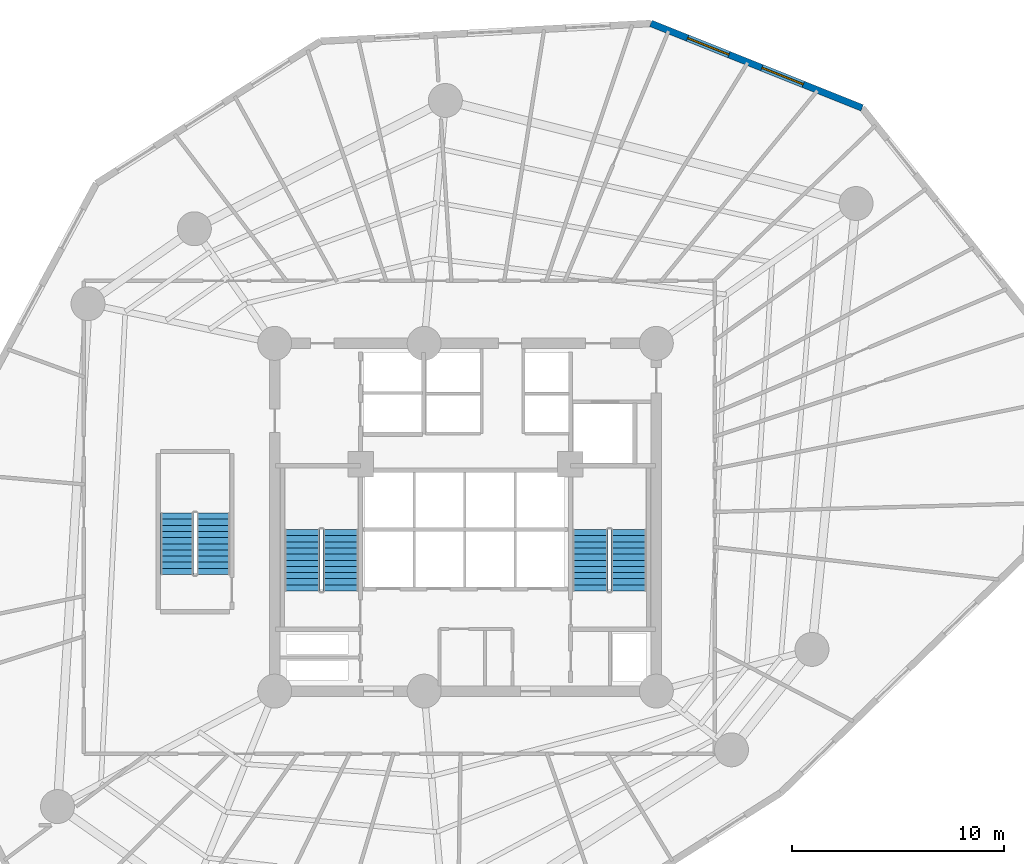
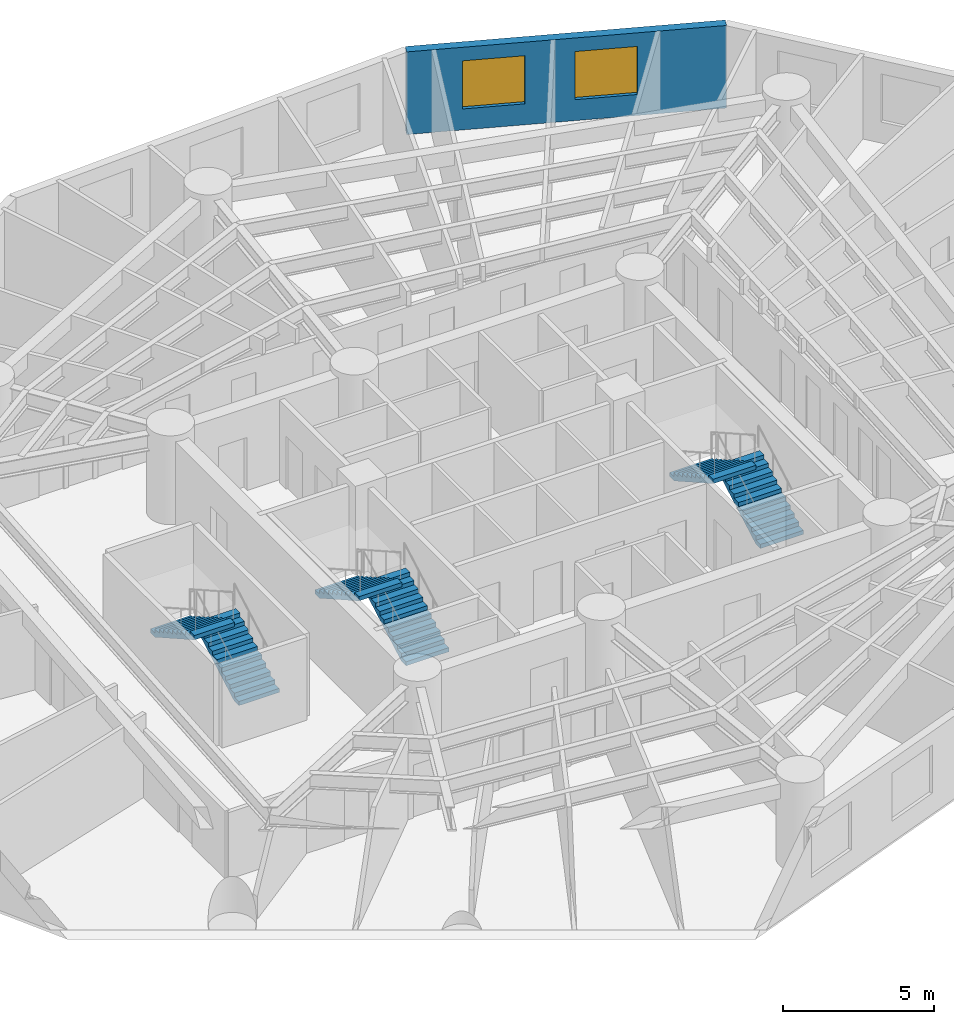
# One storey, part 7 of 8: 6 stair flights, 2 windows, 1 wall, 2 openings, 3 elements without a shape of their own.
"""IFC4 building model written with IfcOpenShell, lengths in metres."""

from ifc_helpers import new_model, si_unit, direction, frame, frame_2d, origin, origin_with_axes, place, context, subcontext, project, spatial, polyline, rectangle, outline, extrude, source, transform, mapped, material, layer, layer_set, type_object, element, fill, aggregate, save


model = new_model("IFC4")

# Units and contexts
model_context = context("Model", 3, precision=1e-05, world=origin(), true_north=direction((0.0, 1.0)))
body_context = subcontext(model_context, "Body", "Model", "MODEL_VIEW")
ifc_project = project(units=[si_unit("LENGTHUNIT", "METRE"), si_unit("AREAUNIT", "SQUARE_METRE"), si_unit("VOLUMEUNIT", "CUBIC_METRE"), si_unit("PLANEANGLEUNIT", "RADIAN"), si_unit("MASSUNIT", "GRAM", prefix="KILO")], contexts=[model_context])

# Site, building, storey
site_placement = place(None, origin())
site = spatial("IfcSite", under=ifc_project, at=site_placement, CompositionType="ELEMENT")
building_placement = place(site_placement, origin())
building = spatial("IfcBuilding", under=site, at=building_placement, Name="Karkom Vertical University and Central Library", CompositionType="ELEMENT")
storey_placement = place(building_placement, frame((0.0, 0.0, 37.300048828125)))
storey = spatial("IfcBuildingStorey", under=building, at=storey_placement, Name="L09", CompositionType="ELEMENT", Elevation=37.300048828125)

# Wall, openings, windows
ifc_material_1 = material(Name="Brick-faced precast concrete C45/55", Category="masonry")
ifc_layer = layer(ifc_material_1, 0.320068359375)
ifc_layer_set = layer_set([ifc_layer], Name="Brick-faced precast concrete C45/55")
wall_type = type_object("IfcWallType", Name="ENV-WL-BRK-320", PredefinedType="SOLIDWALL", material=ifc_layer_set)
wall_placement = place(storey_placement, frame((47.20751953125, 45.806396484375, 0.0), z_axis=(0.0, 0.0, 1.0), x_axis=(-0.928515908775, 0.371292616614, 0.0)))
wall = element("IfcWall", 1, at=wall_placement, inside=storey, type_object=wall_type, Name="Level 09 Brick-Faced Precast Facade Wall 11", PredefinedType="SOLIDWALL", context=body_context, shape_type="SweptSolid", body=[
    extrude(rectangle(XDim=10.731689453125, YDim=0.320068359375, at=frame_2d((5.36572265625, 0.0))), origin(), (0.0, 0.0, 1.0), 3.349853515625),
])
opening_1_placement = place(wall_placement, frame((2.9912109375, 0.0, 0.85009765625)))
opening_1 = element("IfcOpeningElement", 2, at=opening_1_placement, cuts=wall, Name="Opening WN-03", PredefinedType="OPENING", context=body_context, shape_type="SweptSolid", body=[
    extrude(rectangle(XDim=2.10009765625, YDim=1.949951171875, at=frame_2d((1.050048828125, 0.97509765625))), frame((0.0, 0.169921875, 0.0), z_axis=(0.0, -1.0, 0.0), x_axis=(1.0, 0.0, 0.0)), (0.0, 0.0, 1.0), 0.340087890625),
])
opening_2_placement = place(wall_placement, frame((6.766845703125, 0.0, 0.85009765625)))
opening_2 = element("IfcOpeningElement", 3, at=opening_2_placement, cuts=wall, Name="Opening WN-03", PredefinedType="OPENING", context=body_context, shape_type="SweptSolid", body=[
    extrude(rectangle(XDim=2.10009765625, YDim=1.949951171875, at=frame_2d((1.050048828125, 0.97509765625))), frame((0.0, 0.169921875, 0.0), z_axis=(0.0, -1.0, 0.0), x_axis=(1.0, 0.0, 0.0)), (0.0, 0.0, 1.0), 0.340087890625),
])
ifc_material_2 = material(Name="Aluminium thermal-break frame with solar-control IGU", Category="aluminium")
window_type = type_object("IfcWindowType", Name="ENV-WIN-WN-03", PartitioningType="SINGLE_PANEL", PredefinedType="WINDOW", material=ifc_material_2)
shared_shape = source(origin_with_axes(), body_context, "Body", "SweptSolid", [
    extrude(rectangle(XDim=2.10009765625, YDim=1.949951171875, at=frame_2d((1.050048828125, 0.97509765625))), frame((0.0, 0.030029296875, 0.0), z_axis=(0.0, -1.0, 0.0), x_axis=(1.0, 0.0, 0.0)), (0.0, 0.0, 1.0), 0.06005859375),
])
window_1_placement = place(opening_1_placement, origin())
window_1 = element("IfcWindow", 4, at=window_1_placement, inside=storey, type_object=window_type, Name="Level 09 Punched Window 11.1", OverallHeight=1.949951171875, OverallWidth=2.10009765625, PartitioningType="SINGLE_PANEL", PredefinedType="WINDOW", context=body_context, shape_type="MappedRepresentation", body=[
    mapped(shared_shape, transform((0.0, 0.0, 0.0), scale=1.0)),
])
fill(opening_1, window_1)
window_2_placement = place(opening_2_placement, origin())
window_2 = element("IfcWindow", 5, at=window_2_placement, inside=storey, type_object=window_type, Name="Level 09 Punched Window 11.2", OverallHeight=1.949951171875, OverallWidth=2.10009765625, PartitioningType="SINGLE_PANEL", PredefinedType="WINDOW", context=body_context, shape_type="MappedRepresentation", body=[
    mapped(shared_shape, transform((0.0, 0.0, 0.0), scale=1.0)),
])
fill(opening_2, window_2)

# Stair, stair flights
ifc_material_3 = material(Name="Concrete C45/55", Category="concrete")
stair_type_1 = type_object("IfcStairType", Name="INT-STR-ST-MAIN", PredefinedType="HALF_TURN_STAIR", material=ifc_material_3)
stair_1_placement = place(storey_placement, origin())
stair_1 = element("IfcStair", 6, at=stair_1_placement, inside=storey, type_object=stair_type_1, Name="Level 09 Tower Protected Exit Stair ST-1", PredefinedType="HALF_TURN_STAIR")
stair_flight_type_1 = type_object("IfcStairFlightType", Name="INT-SFL-ST-MAIN", PredefinedType="STRAIGHT", material=ifc_material_3)
stair_flight_1_placement = place(storey_placement, frame((22.614990234375, 23.02001953125, 0.0), z_axis=(0.0, 0.0, 1.0), x_axis=(0.0, 1.0, 0.0)))
stair_flight_1 = element("IfcStairFlight", 7, at=stair_flight_1_placement, type_object=stair_flight_type_1, Name="ST-1 flight 1", NumberOfRisers=11, NumberOfTreads=10, PredefinedType="STRAIGHT", RiserHeight=0.163636364, TreadLength=0.29, context=body_context, shape_type="SweptSolid", body=[
    extrude(outline(polyline([(0.0, 0.0), (0.0, 0.16357421875), (0.2900390625, 0.16357421875), (0.2900390625, 0.327392578125), (0.580078125, 0.327392578125), (0.580078125, 0.490966796875), (0.8701171875, 0.490966796875), (0.8701171875, 0.654541015625), (1.159912109375, 0.654541015625), (1.159912109375, 0.818115234375), (1.449951171875, 0.818115234375), (1.449951171875, 0.98193359375), (1.739990234375, 0.98193359375), (1.739990234375, 1.1455078125), (2.030029296875, 1.1455078125), (2.030029296875, 1.30908203125), (2.320068359375, 1.30908203125), (2.320068359375, 1.47265625), (2.610107421875, 1.47265625), (2.610107421875, 1.636474609375), (2.89990234375, 1.636474609375), (2.89990234375, 1.800048828125), (2.89990234375, 1.46435546875), (0.304931640625, 0.0), (0.0, 0.0)])), frame((0.0, 0.824951171875, 0.0), z_axis=(0.0, -1.0, 0.0), x_axis=(1.0, 0.0, 0.0)), (0.0, 0.0, 1.0), 1.64990234375),
])
stair_flight_2_placement = place(storey_placement, frame((20.804931640625, 25.919921875, 1.800048828125), z_axis=(0.0, 0.0, 1.0), x_axis=(0.0, -1.0, 0.0)))
stair_flight_2 = element("IfcStairFlight", 8, at=stair_flight_2_placement, type_object=stair_flight_type_1, Name="ST-1 flight 2", NumberOfRisers=11, NumberOfTreads=10, PredefinedType="STRAIGHT", RiserHeight=0.163636364, TreadLength=0.29, context=body_context, shape_type="SweptSolid", body=[
    extrude(outline(polyline([(0.0, 0.0), (0.0, 0.16357421875), (0.2900390625, 0.16357421875), (0.2900390625, 0.327392578125), (0.580078125, 0.327392578125), (0.580078125, 0.490966796875), (0.8701171875, 0.490966796875), (0.8701171875, 0.654541015625), (1.159912109375, 0.654541015625), (1.159912109375, 0.818115234375), (1.449951171875, 0.818115234375), (1.449951171875, 0.98193359375), (1.739990234375, 0.98193359375), (1.739990234375, 1.1455078125), (2.030029296875, 1.1455078125), (2.030029296875, 1.30908203125), (2.320068359375, 1.30908203125), (2.320068359375, 1.47265625), (2.610107421875, 1.47265625), (2.610107421875, 1.636474609375), (2.89990234375, 1.636474609375), (2.89990234375, 1.800048828125), (2.89990234375, 1.46435546875), (0.304931640625, 0.0), (0.0, 0.0)])), frame((0.0, 0.824951171875, 0.0), z_axis=(0.0, -1.0, 0.0), x_axis=(1.0, 0.0, 0.0)), (0.0, 0.0, 1.0), 1.64990234375),
])
aggregate(stair_1, [stair_flight_1, stair_flight_2])

stair_2_placement = place(storey_placement, origin())
stair_2 = element("IfcStair", 9, at=stair_2_placement, inside=storey, type_object=stair_type_1, Name="Level 09 Tower Protected Exit Stair ST-2", PredefinedType="HALF_TURN_STAIR")
stair_flight_3_placement = place(storey_placement, frame((36.195068359375, 23.02001953125, 0.0), z_axis=(0.0, 0.0, 1.0), x_axis=(0.0, 1.0, 0.0)))
stair_flight_3 = element("IfcStairFlight", 10, at=stair_flight_3_placement, type_object=stair_flight_type_1, Name="ST-2 flight 1", NumberOfRisers=11, NumberOfTreads=10, PredefinedType="STRAIGHT", RiserHeight=0.163636364, TreadLength=0.29, context=body_context, shape_type="SweptSolid", body=[
    extrude(outline(polyline([(0.0, 0.0), (0.0, 0.16357421875), (0.2900390625, 0.16357421875), (0.2900390625, 0.327392578125), (0.580078125, 0.327392578125), (0.580078125, 0.490966796875), (0.8701171875, 0.490966796875), (0.8701171875, 0.654541015625), (1.159912109375, 0.654541015625), (1.159912109375, 0.818115234375), (1.449951171875, 0.818115234375), (1.449951171875, 0.98193359375), (1.739990234375, 0.98193359375), (1.739990234375, 1.1455078125), (2.030029296875, 1.1455078125), (2.030029296875, 1.30908203125), (2.320068359375, 1.30908203125), (2.320068359375, 1.47265625), (2.610107421875, 1.47265625), (2.610107421875, 1.636474609375), (2.89990234375, 1.636474609375), (2.89990234375, 1.800048828125), (2.89990234375, 1.46435546875), (0.304931640625, 0.0), (0.0, 0.0)])), frame((0.0, 0.824951171875, 0.0), z_axis=(0.0, -1.0, 0.0), x_axis=(1.0, 0.0, 0.0)), (0.0, 0.0, 1.0), 1.64990234375),
])
stair_flight_4_placement = place(storey_placement, frame((34.385009765625, 25.919921875, 1.800048828125), z_axis=(0.0, 0.0, 1.0), x_axis=(0.0, -1.0, 0.0)))
stair_flight_4 = element("IfcStairFlight", 11, at=stair_flight_4_placement, type_object=stair_flight_type_1, Name="ST-2 flight 2", NumberOfRisers=11, NumberOfTreads=10, PredefinedType="STRAIGHT", RiserHeight=0.163636364, TreadLength=0.29, context=body_context, shape_type="SweptSolid", body=[
    extrude(outline(polyline([(0.0, 0.0), (0.0, 0.16357421875), (0.2900390625, 0.16357421875), (0.2900390625, 0.327392578125), (0.580078125, 0.327392578125), (0.580078125, 0.490966796875), (0.8701171875, 0.490966796875), (0.8701171875, 0.654541015625), (1.159912109375, 0.654541015625), (1.159912109375, 0.818115234375), (1.449951171875, 0.818115234375), (1.449951171875, 0.98193359375), (1.739990234375, 0.98193359375), (1.739990234375, 1.1455078125), (2.030029296875, 1.1455078125), (2.030029296875, 1.30908203125), (2.320068359375, 1.30908203125), (2.320068359375, 1.47265625), (2.610107421875, 1.47265625), (2.610107421875, 1.636474609375), (2.89990234375, 1.636474609375), (2.89990234375, 1.800048828125), (2.89990234375, 1.46435546875), (0.304931640625, 0.0), (0.0, 0.0)])), frame((0.0, 0.824951171875, 0.0), z_axis=(0.0, -1.0, 0.0), x_axis=(1.0, 0.0, 0.0)), (0.0, 0.0, 1.0), 1.64990234375),
])
aggregate(stair_2, [stair_flight_3, stair_flight_4])

stair_type_2 = type_object("IfcStairType", Name="INT-STR-ST-SEC", PredefinedType="HALF_TURN_STAIR", material=ifc_material_3)
stair_3_placement = place(storey_placement, origin())
stair_3 = element("IfcStair", 12, at=stair_3_placement, inside=storey, type_object=stair_type_2, Name="Level 09 Academic Zone Protected Exit Stair ST-3", PredefinedType="HALF_TURN_STAIR")
stair_flight_type_2 = type_object("IfcStairFlightType", Name="INT-SFL-ST-SEC", PredefinedType="STRAIGHT", material=ifc_material_3)
stair_flight_5_placement = place(storey_placement, frame((16.60498046875, 23.800048828125, 0.0), z_axis=(0.0, 0.0, 1.0), x_axis=(0.0, 1.0, 0.0)))
stair_flight_5 = element("IfcStairFlight", 13, at=stair_flight_5_placement, type_object=stair_flight_type_2, Name="ST-3 flight 1", NumberOfRisers=11, NumberOfTreads=10, PredefinedType="STRAIGHT", RiserHeight=0.163636364, TreadLength=0.29, context=body_context, shape_type="SweptSolid", body=[
    extrude(outline(polyline([(0.0, 0.0), (0.0, 0.16357421875), (0.2900390625, 0.16357421875), (0.2900390625, 0.327392578125), (0.580078125, 0.327392578125), (0.580078125, 0.490966796875), (0.8701171875, 0.490966796875), (0.8701171875, 0.654541015625), (1.159912109375, 0.654541015625), (1.159912109375, 0.818115234375), (1.449951171875, 0.818115234375), (1.449951171875, 0.98193359375), (1.739990234375, 0.98193359375), (1.739990234375, 1.1455078125), (2.030029296875, 1.1455078125), (2.030029296875, 1.30908203125), (2.320068359375, 1.30908203125), (2.320068359375, 1.47265625), (2.610107421875, 1.47265625), (2.610107421875, 1.636474609375), (2.89990234375, 1.636474609375), (2.89990234375, 1.800048828125), (2.89990234375, 1.46435546875), (0.304931640625, 0.0), (0.0, 0.0)])), frame((0.0, 0.77490234375, 0.0), z_axis=(0.0, -1.0, 0.0), x_axis=(1.0, 0.0, 0.0)), (0.0, 0.0, 1.0), 1.550048828125),
])
stair_flight_6_placement = place(storey_placement, frame((14.89501953125, 26.699951171875, 1.800048828125), z_axis=(0.0, 0.0, 1.0), x_axis=(0.0, -1.0, 0.0)))
stair_flight_6 = element("IfcStairFlight", 14, at=stair_flight_6_placement, type_object=stair_flight_type_2, Name="ST-3 flight 2", NumberOfRisers=11, NumberOfTreads=10, PredefinedType="STRAIGHT", RiserHeight=0.163636364, TreadLength=0.29, context=body_context, shape_type="SweptSolid", body=[
    extrude(outline(polyline([(0.0, 0.0), (0.0, 0.16357421875), (0.2900390625, 0.16357421875), (0.2900390625, 0.327392578125), (0.580078125, 0.327392578125), (0.580078125, 0.490966796875), (0.8701171875, 0.490966796875), (0.8701171875, 0.654541015625), (1.159912109375, 0.654541015625), (1.159912109375, 0.818115234375), (1.449951171875, 0.818115234375), (1.449951171875, 0.98193359375), (1.739990234375, 0.98193359375), (1.739990234375, 1.1455078125), (2.030029296875, 1.1455078125), (2.030029296875, 1.30908203125), (2.320068359375, 1.30908203125), (2.320068359375, 1.47265625), (2.610107421875, 1.47265625), (2.610107421875, 1.636474609375), (2.89990234375, 1.636474609375), (2.89990234375, 1.800048828125), (2.89990234375, 1.46435546875), (0.304931640625, 0.0), (0.0, 0.0)])), frame((0.0, 0.77490234375, 0.0), z_axis=(0.0, -1.0, 0.0), x_axis=(1.0, 0.0, 0.0)), (0.0, 0.0, 1.0), 1.550048828125),
])
aggregate(stair_3, [stair_flight_5, stair_flight_6])

save(model, "model.ifc")
